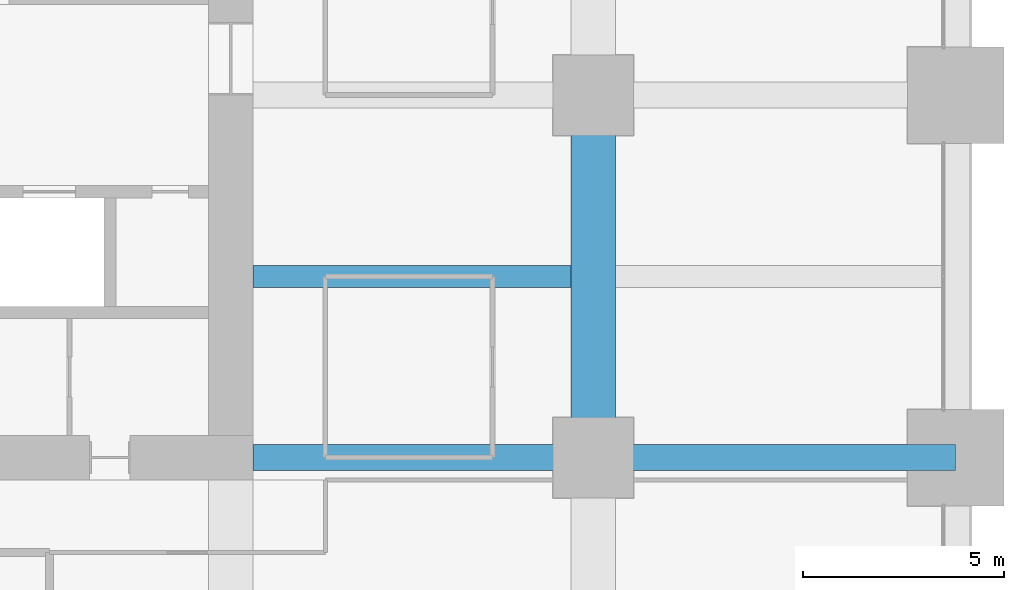
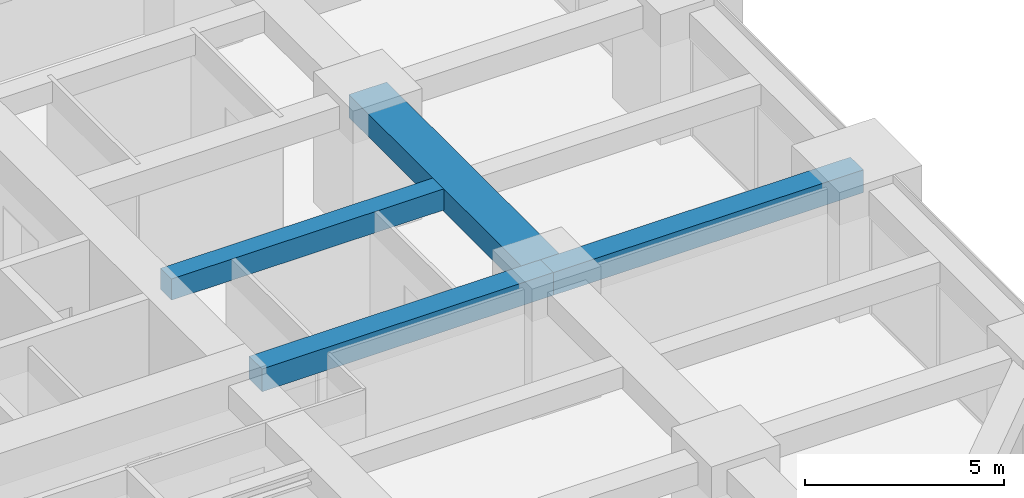
# One storey, part 20 of 41: 4 beams.
"""IFC4 building model written with IfcOpenShell, lengths in metres."""

from ifc_helpers import new_model, si_unit, direction, frame, origin, origin_2d, place, context, subcontext, project, spatial, rectangle, extrude, material, material_profile, profile_set, type_object, element, save


model = new_model("IFC4")

# Units and contexts
model_context = context("Model", 3, precision=1e-05, world=origin(), true_north=direction((0.0, 1.0)))
body_context = subcontext(model_context, "Body", "Model", "MODEL_VIEW")
ifc_project = project(units=[si_unit("LENGTHUNIT", "METRE"), si_unit("AREAUNIT", "SQUARE_METRE"), si_unit("VOLUMEUNIT", "CUBIC_METRE"), si_unit("PLANEANGLEUNIT", "RADIAN"), si_unit("MASSUNIT", "GRAM", prefix="KILO")], contexts=[model_context])

# Site, building, storey
site_placement = place(None, origin())
site = spatial("IfcSite", under=ifc_project, at=site_placement, CompositionType="ELEMENT")
building_placement = place(site_placement, origin())
building = spatial("IfcBuilding", under=site, at=building_placement, Name="Zorevar Civic Tower", CompositionType="ELEMENT")
storey_placement = place(building_placement, frame((0.0, 0.0, 101.0)))
storey = spatial("IfcBuildingStorey", under=building, at=storey_placement, Name="L24", CompositionType="ELEMENT", Elevation=101.0)

# Beams
ifc_material_1 = material(Name="Concrete C50/60", Category="concrete")
ifc_material_profile_1 = material_profile(ifc_material_1, rectangle(XDim=1.10009765625, YDim=0.699951171875, at=origin_2d()), Name="RC 1100x700")
ifc_profile_set_1 = profile_set([ifc_material_profile_1], Name="Concrete C50/60")
beam_type_1 = type_object("IfcBeamType", Name="Beam RC 1100x700", PredefinedType="BEAM", material=ifc_profile_set_1)
beam_1_placement = place(storey_placement, frame((54.0, 18.0, 3.39990234375), z_axis=(0.0, 1.0, 0.0), x_axis=(-1.0, 0.0, 0.0)))
element("IfcBeam", 1, at=beam_1_placement, inside=storey, type_object=beam_type_1, Name="Girder L25", PredefinedType="BEAM", context=body_context, shape_type="SweptSolid", body=[
    extrude(rectangle(XDim=1.10009765625, YDim=0.699951171875, at=origin_2d()), origin(), (0.0, 0.0, 1.0), 9.0),
])
ifc_material_2 = material(Name="Concrete C50/60", Category="concrete")
ifc_material_profile_2 = material_profile(ifc_material_2, rectangle(XDim=0.550048828125, YDim=0.64990234375, at=origin_2d()), Name="RC 550x650")
ifc_profile_set_2 = profile_set([ifc_material_profile_2], Name="Concrete C50/60")
beam_type_2 = type_object("IfcBeamType", Name="Beam RC 550x650", PredefinedType="BEAM", material=ifc_profile_set_2)
beam_2_placement = place(storey_placement, frame((45.550048828125, 22.5, 3.425048828125), z_axis=(1.0, 0.0, 0.0), x_axis=(0.0, 1.0, 0.0)))
element("IfcBeam", 2, at=beam_2_placement, inside=storey, type_object=beam_type_2, Name="Secondary beam L25", PredefinedType="BEAM", context=body_context, shape_type="SweptSolid", body=[
    extrude(rectangle(XDim=0.550048828125, YDim=0.64990234375, at=origin_2d()), origin(), (0.0, 0.0, 1.0), 7.89990234375),
])
ifc_material_3 = material(Name="Concrete C50/60", Category="concrete")
ifc_material_profile_3 = material_profile(ifc_material_3, rectangle(XDim=0.64990234375, YDim=0.699951171875, at=origin_2d()), Name="RC 650x700")
ifc_profile_set_3 = profile_set([ifc_material_profile_3], Name="Concrete C50/60")
beam_type_3 = type_object("IfcBeamType", Name="Beam RC 650x700", PredefinedType="BEAM", material=ifc_profile_set_3)
beam_3_placement = place(storey_placement, frame((45.550048828125, 18.0, 3.39990234375), z_axis=(1.0, 0.0, 0.0), x_axis=(0.0, 1.0, 0.0)))
element("IfcBeam", 3, at=beam_3_placement, inside=storey, type_object=beam_type_3, Name="Girder L25", PredefinedType="BEAM", context=body_context, shape_type="SweptSolid", body=[
    extrude(rectangle(XDim=0.64990234375, YDim=0.699951171875, at=origin_2d()), origin(), (0.0, 0.0, 1.0), 8.449951171875),
])
beam_4_placement = place(storey_placement, frame((54.0, 18.0, 3.39990234375), z_axis=(1.0, 0.0, 0.0), x_axis=(0.0, 1.0, 0.0)))
element("IfcBeam", 4, at=beam_4_placement, inside=storey, type_object=beam_type_3, Name="Girder L25", PredefinedType="BEAM", context=body_context, shape_type="SweptSolid", body=[
    extrude(rectangle(XDim=0.64990234375, YDim=0.699951171875, at=origin_2d()), origin(), (0.0, 0.0, 1.0), 9.0),
])

save(model, "model.ifc")
